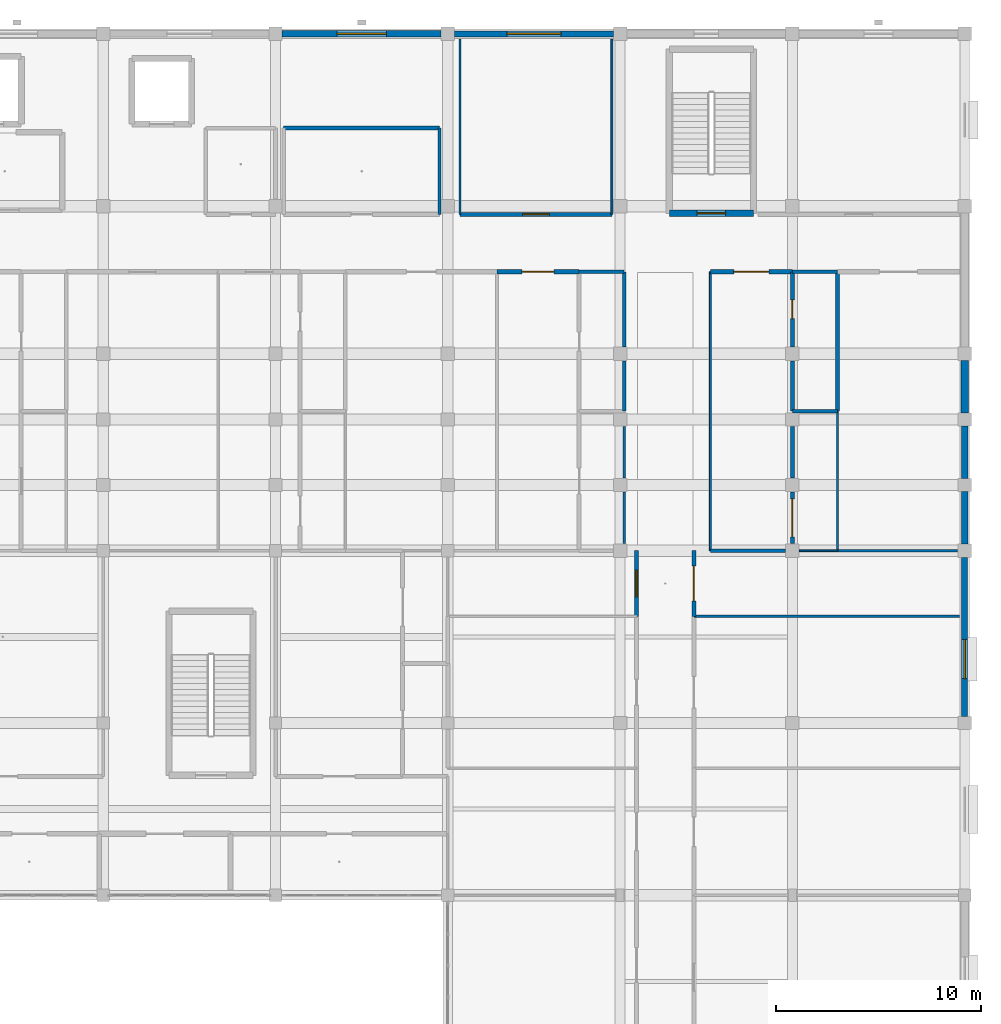
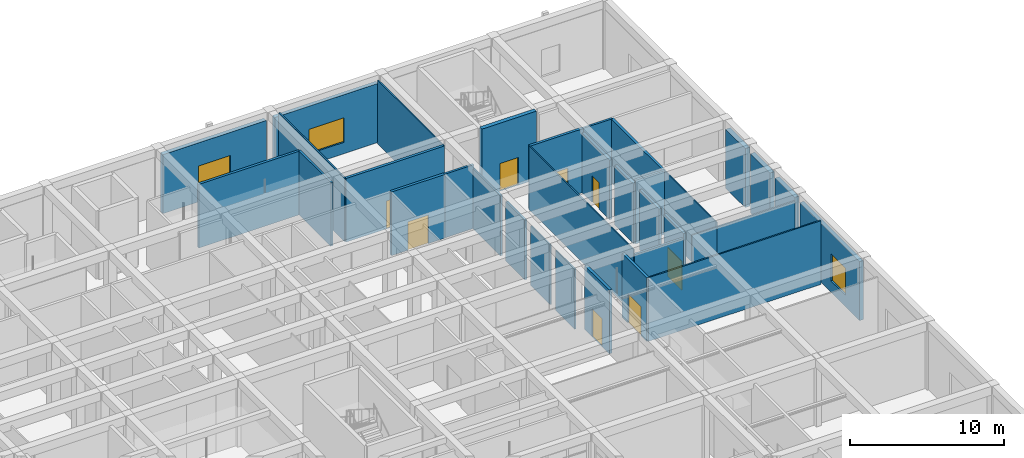
# One storey, part 95 of 157: 34 walls, 8 doors, 3 windows, 11 openings.
"""IFC4 building model written with IfcOpenShell, lengths in metres."""

from ifc_helpers import new_model, si_unit, direction, frame, frame_2d, origin, place, context, subcontext, project, spatial, rectangle, extrude, material, layer, layer_set, type_object, element, fill, save


model = new_model("IFC4")

# Units and contexts
model_context = context("Model", 3, precision=1e-05, world=origin(), true_north=direction((0.0, 1.0)))
body_context = subcontext(model_context, "Body", "Model", "MODEL_VIEW")
ifc_project = project(units=[si_unit("LENGTHUNIT", "METRE"), si_unit("AREAUNIT", "SQUARE_METRE"), si_unit("VOLUMEUNIT", "CUBIC_METRE"), si_unit("PLANEANGLEUNIT", "RADIAN"), si_unit("MASSUNIT", "GRAM", prefix="KILO")], contexts=[model_context])

# Site, building, storey
site_placement = place(None, origin())
site = spatial("IfcSite", under=ifc_project, at=site_placement, CompositionType="ELEMENT")
building_placement = place(site_placement, origin())
building = spatial("IfcBuilding", under=site, at=building_placement, Name="Varncliffe General Hospital", CompositionType="ELEMENT")
storey_placement = place(building_placement, frame((0.0, 0.0, 5.39990234375)))
storey = spatial("IfcBuildingStorey", under=building, at=storey_placement, Name="L01", CompositionType="ELEMENT", Elevation=5.39990234375)

# Wall, opening, window
ifc_material_1 = material(Name="Precast concrete C40/50 with insulated cream lime-cement stucco", Category="concrete")
ifc_layer_1 = layer(ifc_material_1, 0.31005859375)
ifc_layer_set_1 = layer_set([ifc_layer_1], Name="Precast concrete C40/50 with insulated cream lime-cement stucco")
wall_type_1 = type_object("IfcWallType", Name="Exterior Insulated Stucco Wall EW20 (310mm)", PredefinedType="SOLIDWALL", material=ifc_layer_set_1)
wall_1_placement = place(storey_placement, frame((143.123046875, 124.800048828125, 0.0), z_axis=(0.0, 0.0, 1.0), x_axis=(1.0, 0.0, 0.0)))
wall_1 = element("IfcWall", 1, at=wall_1_placement, inside=storey, type_object=wall_type_1, Name="L01 Exterior Stucco Wall EW20-132", PredefinedType="SOLIDWALL", context=body_context, shape_type="SweptSolid", body=[
    extrude(rectangle(XDim=7.75390625, YDim=0.31005859375, at=frame_2d((3.876953125, 0.0))), origin(), (0.0, 0.0, 1.0), 4.68017578125),
])
opening_1_placement = place(wall_1_placement, frame((2.677001953125, 0.0, 0.89990234375)))
opening_1 = element("IfcOpeningElement", 2, at=opening_1_placement, cuts=wall_1, Name="Opening WN16", PredefinedType="OPENING", context=body_context, shape_type="SweptSolid", body=[
    extrude(rectangle(XDim=2.39990234375, YDim=1.949951171875, at=frame_2d((1.199951171875, 0.97509765625))), frame((0.0, 0.1650390625, 0.0), z_axis=(0.0, -1.0, 0.0), x_axis=(1.0, 0.0, 0.0)), (0.0, 0.0, 1.0), 0.330078125),
])
ifc_material_2 = material(Name="Triple low-E argon insulated vision glazing", Category="glass")
window_type_1 = type_object("IfcWindowType", Name="Triple-Glazed Hospital Window WN16 (2400x1950)", PartitioningType="DOUBLE_PANEL_VERTICAL", PredefinedType="WINDOW", material=ifc_material_2)
window_1_placement = place(opening_1_placement, origin())
window_1 = element("IfcWindow", 3, at=window_1_placement, inside=storey, type_object=window_type_1, Name="L01 Hospital Window WN16-75", OverallHeight=1.949951171875, OverallWidth=2.39990234375, PartitioningType="DOUBLE_PANEL_VERTICAL", PredefinedType="WINDOW", context=body_context, shape_type="SweptSolid", body=[
    extrude(rectangle(XDim=2.39990234375, YDim=1.949951171875, at=frame_2d((1.199951171875, 0.97509765625))), frame((0.0, 0.030029296875, 0.0), z_axis=(0.0, -1.0, 0.0), x_axis=(1.0, 0.0, 0.0)), (0.0, 0.0, 1.0), 0.06005859375),
])
fill(opening_1, window_1)

# Wall
wall_2_placement = place(storey_placement, frame((176.39990234375, 102.47705078125, 0.0), z_axis=(0.0, 0.0, 1.0), x_axis=(0.0, -1.0, 0.0)))
element("IfcWall", 4, at=wall_2_placement, inside=storey, type_object=wall_type_1, Name="L01 Exterior Stucco Wall EW20-140", PredefinedType="SOLIDWALL", context=body_context, shape_type="SweptSolid", body=[
    extrude(rectangle(XDim=2.553955078125, YDim=0.31005859375, at=frame_2d((1.27685546875, 0.0))), origin(), (0.0, 0.0, 1.0), 4.68017578125),
])

# Wall, opening, window
ifc_layer_2 = layer(ifc_material_1, 0.2900390625)
ifc_layer_set_2 = layer_set([ifc_layer_2], Name="Precast concrete C40/50 with insulated cream lime-cement stucco")
wall_type_2 = type_object("IfcWallType", Name="Exterior Insulated Stucco Wall EW31 (290mm)", PredefinedType="SOLIDWALL", material=ifc_layer_set_2)
wall_3_placement = place(storey_placement, frame((151.52294921875, 124.800048828125, 0.0), z_axis=(0.0, 0.0, 1.0), x_axis=(1.0, 0.0, 0.0)))
wall_3 = element("IfcWall", 5, at=wall_3_placement, inside=storey, type_object=wall_type_2, Name="L01 Exterior Stucco Wall EW31-133", PredefinedType="SOLIDWALL", context=body_context, shape_type="SweptSolid", body=[
    extrude(rectangle(XDim=7.754150390625, YDim=0.2900390625, at=frame_2d((3.876953125, 0.0))), origin(), (0.0, 0.0, 1.0), 4.68017578125),
])
opening_2_placement = place(wall_3_placement, frame((2.552001953125, 0.0, 0.89990234375)))
opening_2 = element("IfcOpeningElement", 6, at=opening_2_placement, cuts=wall_3, Name="Opening WN30", PredefinedType="OPENING", context=body_context, shape_type="SweptSolid", body=[
    extrude(rectangle(XDim=2.64990234375, YDim=1.949951171875, at=frame_2d((1.324951171875, 0.97509765625))), frame((0.0, 0.155029296875, 0.0), z_axis=(0.0, -1.0, 0.0), x_axis=(1.0, 0.0, 0.0)), (0.0, 0.0, 1.0), 0.31005859375),
])
window_type_2 = type_object("IfcWindowType", Name="Triple-Glazed Hospital Window WN30 (2650x1950)", PartitioningType="DOUBLE_PANEL_VERTICAL", PredefinedType="WINDOW", material=ifc_material_2)
window_2_placement = place(opening_2_placement, origin())
window_2 = element("IfcWindow", 7, at=window_2_placement, inside=storey, type_object=window_type_2, Name="L01 Hospital Window WN30-76", OverallHeight=1.949951171875, OverallWidth=2.64990234375, PartitioningType="DOUBLE_PANEL_VERTICAL", PredefinedType="WINDOW", context=body_context, shape_type="SweptSolid", body=[
    extrude(rectangle(XDim=2.64990234375, YDim=1.949951171875, at=frame_2d((1.324951171875, 0.97509765625))), frame((0.0, 0.030029296875, 0.0), z_axis=(0.0, -1.0, 0.0), x_axis=(1.0, 0.0, 0.0)), (0.0, 0.0, 1.0), 0.06005859375),
])
fill(opening_2, window_2)

wall_4_placement = place(storey_placement, frame((176.39990234375, 99.277099609375, 0.0), z_axis=(0.0, 0.0, 1.0), x_axis=(0.0, -1.0, 0.0)))
wall_4 = element("IfcWall", 8, at=wall_4_placement, inside=storey, type_object=wall_type_2, Name="L01 Exterior Stucco Wall EW31-141", PredefinedType="SOLIDWALL", context=body_context, shape_type="SweptSolid", body=[
    extrude(rectangle(XDim=7.754150390625, YDim=0.2900390625, at=frame_2d((3.876953125, 0.0))), origin(), (0.0, 0.0, 1.0), 4.68017578125),
])
opening_3_placement = place(wall_4_placement, frame((4.016845703125, 0.0, 0.89990234375)))
opening_3 = element("IfcOpeningElement", 9, at=opening_3_placement, cuts=wall_4, Name="Opening WN15", PredefinedType="OPENING", context=body_context, shape_type="SweptSolid", body=[
    extrude(rectangle(XDim=1.89990234375, YDim=2.14990234375, at=frame_2d((0.949951171875, 1.074951171875))), frame((0.0, 0.155029296875, 0.0), z_axis=(0.0, -1.0, 0.0), x_axis=(1.0, 0.0, 0.0)), (0.0, 0.0, 1.0), 0.31005859375),
])
window_type_3 = type_object("IfcWindowType", Name="Triple-Glazed Hospital Window WN15 (1900x2150)", PartitioningType="DOUBLE_PANEL_VERTICAL", PredefinedType="WINDOW", material=ifc_material_2)
window_3_placement = place(opening_3_placement, origin())
window_3 = element("IfcWindow", 10, at=window_3_placement, inside=storey, type_object=window_type_3, Name="L01 Hospital Window WN15-80", OverallHeight=2.14990234375, OverallWidth=1.89990234375, PartitioningType="DOUBLE_PANEL_VERTICAL", PredefinedType="WINDOW", context=body_context, shape_type="SweptSolid", body=[
    extrude(rectangle(XDim=1.89990234375, YDim=2.14990234375, at=frame_2d((0.949951171875, 1.074951171875))), frame((0.0, 0.030029296875, 0.0), z_axis=(0.0, -1.0, 0.0), x_axis=(1.0, 0.0, 0.0)), (0.0, 0.0, 1.0), 0.06005859375),
])
fill(opening_3, window_3)

# Walls
ifc_layer_3 = layer(ifc_material_1, 0.330078125)
ifc_layer_set_3 = layer_set([ifc_layer_3], Name="Precast concrete C40/50 with insulated cream lime-cement stucco")
wall_type_3 = type_object("IfcWallType", Name="Exterior Insulated Stucco Wall EW33 (330mm)", PredefinedType="SOLIDWALL", material=ifc_layer_set_3)
wall_5_placement = place(storey_placement, frame((176.39990234375, 105.677001953125, 0.0), z_axis=(0.0, 0.0, 1.0), x_axis=(0.0, -1.0, 0.0)))
element("IfcWall", 11, at=wall_5_placement, inside=storey, type_object=wall_type_3, Name="L01 Exterior Stucco Wall EW33-139", PredefinedType="SOLIDWALL", context=body_context, shape_type="SweptSolid", body=[
    extrude(rectangle(XDim=2.553955078125, YDim=0.330078125, at=frame_2d((1.27685546875, 0.0))), origin(), (0.0, 0.0, 1.0), 4.68017578125),
])
ifc_layer_4 = layer(ifc_material_1, 0.35009765625)
ifc_layer_set_4 = layer_set([ifc_layer_4], Name="Precast concrete C40/50 with insulated cream lime-cement stucco")
wall_type_4 = type_object("IfcWallType", Name="Exterior Insulated Stucco Wall EW37 (350mm)", PredefinedType="SOLIDWALL", material=ifc_layer_set_4)
wall_6_placement = place(storey_placement, frame((176.39990234375, 108.876953125, 0.0), z_axis=(0.0, 0.0, 1.0), x_axis=(0.0, -1.0, 0.0)))
element("IfcWall", 12, at=wall_6_placement, inside=storey, type_object=wall_type_4, Name="L01 Exterior Stucco Wall EW37-138", PredefinedType="SOLIDWALL", context=body_context, shape_type="SweptSolid", body=[
    extrude(rectangle(XDim=2.553955078125, YDim=0.35009765625, at=frame_2d((1.27685546875, 0.0))), origin(), (0.0, 0.0, 1.0), 4.68017578125),
])
ifc_material_3 = material(Name="Acoustic clinical gypsum stud partition assembly", Category="gypsum")
ifc_layer_5 = layer(ifc_material_3, 0.169921875)
ifc_layer_set_5 = layer_set([ifc_layer_5], Name="Acoustic clinical gypsum stud partition assembly")
wall_type_5 = type_object("IfcWallType", Name="Interior Partitioning IW20 (170mm)", PredefinedType="PARTITIONING", material=ifc_layer_set_5)
wall_7_placement = place(storey_placement, frame((164.0, 99.60009765625, 0.0), z_axis=(0.0, 0.0, 1.0), x_axis=(1.0, 0.0, 0.0)))
element("IfcWall", 13, at=wall_7_placement, inside=storey, type_object=wall_type_5, Name="L01 Interior Partition Wall IW20-595", PredefinedType="PARTITIONING", context=body_context, shape_type="SweptSolid", body=[
    extrude(rectangle(XDim=3.659912109375, YDim=0.169921875, at=frame_2d((1.830078125, 0.0))), origin(), (0.0, 0.0, 1.0), 4.68505859375),
])
ifc_layer_6 = layer(ifc_material_3, 0.090087890625)
ifc_layer_set_6 = layer_set([ifc_layer_6], Name="Acoustic clinical gypsum stud partition assembly")
wall_type_6 = type_object("IfcWallType", Name="Interior Partitioning IW42 (90mm)", PredefinedType="PARTITIONING", material=ifc_layer_set_6)
wall_8_placement = place(storey_placement, frame((168.340087890625, 99.60009765625, 0.0), z_axis=(0.0, 0.0, 1.0), x_axis=(1.0, 0.0, 0.0)))
element("IfcWall", 14, at=wall_8_placement, inside=storey, type_object=wall_type_6, Name="L01 Interior Partition Wall IW42-596", PredefinedType="PARTITIONING", context=body_context, shape_type="SweptSolid", body=[
    extrude(rectangle(XDim=1.85986328125, YDim=0.090087890625, at=frame_2d((0.929931640625, 0.0))), origin(), (0.0, 0.0, 1.0), 4.68505859375),
])
wall_9_placement = place(storey_placement, frame((159.199951171875, 116.0, 0.0), z_axis=(0.0, 0.0, 1.0), x_axis=(0.0, 1.0, 0.0)))
element("IfcWall", 15, at=wall_9_placement, inside=storey, type_object=wall_type_6, Name="L01 Interior Partition Wall IW42-856", PredefinedType="PARTITIONING", context=body_context, shape_type="SweptSolid", body=[
    extrude(rectangle(XDim=8.5400390625, YDim=0.090087890625, at=frame_2d((4.27001953125, 0.0))), origin(), (0.0, 0.0, 1.0), 5.050048828125),
])
wall_10_placement = place(storey_placement, frame((164.0, 99.60009765625, 0.0), z_axis=(0.0, 0.0, 1.0), x_axis=(0.0, 1.0, 0.0)))
element("IfcWall", 16, at=wall_10_placement, inside=storey, type_object=wall_type_6, Name="L01 Interior Partition Wall IW42-886", PredefinedType="PARTITIONING", context=body_context, shape_type="SweptSolid", body=[
    extrude(rectangle(XDim=13.599853515625, YDim=0.090087890625, at=frame_2d((6.7998046875, 0.0))), origin(), (0.0, 0.0, 1.0), 5.050048828125),
])
wall_11_placement = place(storey_placement, frame((170.199951171875, 99.60009765625, 0.0), z_axis=(0.0, 0.0, 1.0), x_axis=(0.0, 1.0, 0.0)))
element("IfcWall", 17, at=wall_11_placement, inside=storey, type_object=wall_type_6, Name="L01 Interior Partition Wall IW42-891", PredefinedType="PARTITIONING", context=body_context, shape_type="SweptSolid", body=[
    extrude(rectangle(XDim=6.7998046875, YDim=0.090087890625, at=frame_2d((3.39990234375, 0.0))), origin(), (0.0, 0.0, 1.0), 5.050048828125),
])
ifc_layer_7 = layer(ifc_material_3, 0.110107421875)
ifc_layer_set_7 = layer_set([ifc_layer_7], Name="Acoustic clinical gypsum stud partition assembly")
wall_type_7 = type_object("IfcWallType", Name="Interior Partitioning IW65 (110mm)", PredefinedType="PARTITIONING", material=ifc_layer_set_7)
wall_12_placement = place(storey_placement, frame((163.199951171875, 96.39990234375, 0.0), z_axis=(0.0, 0.0, 1.0), x_axis=(1.0, 0.0, 0.0)))
element("IfcWall", 18, at=wall_12_placement, inside=storey, type_object=wall_type_7, Name="L01 Interior Partition Wall IW65-547", PredefinedType="PARTITIONING", context=body_context, shape_type="SweptSolid", body=[
    extrude(rectangle(XDim=12.93994140625, YDim=0.110107421875, at=frame_2d((6.469970703125, 0.0))), origin(), (0.0, 0.0, 1.0), 5.050048828125),
])
wall_13_placement = place(storey_placement, frame((170.199951171875, 99.60009765625, 0.0), z_axis=(0.0, 0.0, 1.0), x_axis=(1.0, 0.0, 0.0)))
element("IfcWall", 19, at=wall_13_placement, inside=storey, type_object=wall_type_7, Name="L01 Interior Partition Wall IW65-597", PredefinedType="PARTITIONING", context=body_context, shape_type="SweptSolid", body=[
    extrude(rectangle(XDim=5.860107421875, YDim=0.110107421875, at=frame_2d((2.93017578125, 0.0))), origin(), (0.0, 0.0, 1.0), 4.68505859375),
])
wall_14_placement = place(storey_placement, frame((151.800048828125, 116.0, 0.0), z_axis=(0.0, 0.0, 1.0), x_axis=(0.0, 1.0, 0.0)))
element("IfcWall", 20, at=wall_14_placement, inside=storey, type_object=wall_type_7, Name="L01 Interior Partition Wall IW65-852", PredefinedType="PARTITIONING", context=body_context, shape_type="SweptSolid", body=[
    extrude(rectangle(XDim=8.5400390625, YDim=0.110107421875, at=frame_2d((4.27001953125, 0.0))), origin(), (0.0, 0.0, 1.0), 5.050048828125),
])
for number, where, z_axis, x_axis, name in (
    (21, (159.800048828125, 99.93994140625, 0.0), (0.0, 0.0, 1.0), (0.0, 1.0, 0.0), "L01 Interior Partition Wall IW65-857"),
    (22, (159.800048828125, 103.139892578125, 0.0), (0.0, 0.0, 1.0), (0.0, 1.0, 0.0), "L01 Interior Partition Wall IW65-858"),
):
    element("IfcWall", number, at=place(storey_placement, frame(where, z_axis=z_axis, x_axis=x_axis)), inside=storey, type_object=wall_type_7, Name=name, PredefinedType="PARTITIONING", context=body_context, shape_type="SweptSolid", body=[
        extrude(rectangle(XDim=2.52001953125, YDim=0.110107421875, at=frame_2d((1.260009765625, 0.0))), origin(), (0.0, 0.0, 1.0), 4.735107421875),
    ])

# Wall, opening, door
ifc_material_4 = material(Name="Fire-rated gypsum and mineral-wool partition assembly", Category="gypsum")
ifc_layer_8 = layer(ifc_material_4, 0.199951171875)
ifc_layer_set_8 = layer_set([ifc_layer_8], Name="Fire-rated gypsum and mineral-wool partition assembly")
wall_type_8 = type_object("IfcWallType", Name="Interior Partitioning PW63 (200mm)", PredefinedType="PARTITIONING", material=ifc_layer_set_8)
wall_15_placement = place(storey_placement, frame((153.60009765625, 113.199951171875, 0.0), z_axis=(0.0, 0.0, 1.0), x_axis=(1.0, 0.0, 0.0)))
wall_15 = element("IfcWall", 23, at=wall_15_placement, inside=storey, type_object=wall_type_8, Name="L01 Interior Partition Wall PW63-636", PredefinedType="PARTITIONING", context=body_context, shape_type="SweptSolid", body=[
    extrude(rectangle(XDim=4.0, YDim=0.199951171875, at=frame_2d((2.0, 0.0))), origin(), (0.0, 0.0, 1.0), 5.050048828125),
])
opening_4_placement = place(wall_15_placement, frame((1.22509765625, 0.0, 0.0)))
opening_4 = element("IfcOpeningElement", 24, at=opening_4_placement, cuts=wall_15, Name="Opening DC67", PredefinedType="OPENING", context=body_context, shape_type="SweptSolid", body=[
    extrude(rectangle(XDim=1.550048828125, YDim=2.25, at=frame_2d((0.77490234375, 1.125))), frame((0.0, 0.10986328125, 0.0), z_axis=(0.0, -1.0, 0.0), x_axis=(1.0, 0.0, 0.0)), (0.0, 0.0, 1.0), 0.219970703125),
])
ifc_material_5 = material(Name="Fire-rated hospital steel-frame vision-panel door", Category="steel")
door_type_1 = type_object("IfcDoorType", Name="Interior Hospital Door DC67 (1550x2250)", OperationType="NOTDEFINED", PredefinedType="DOOR", material=ifc_material_5)
door_1_placement = place(opening_4_placement, frame((1.550048828125, 0.0, 0.0), z_axis=(0.0, 0.0, 1.0), x_axis=(-1.0, 0.0, 0.0)))
door_1 = element("IfcDoor", 25, at=door_1_placement, inside=storey, type_object=door_type_1, Name="L01 General Medical Inpatient Room 161 Door", OperationType="SINGLE_SWING_RIGHT", OverallHeight=2.25, OverallWidth=1.550048828125, PredefinedType="DOOR", context=body_context, shape_type="SweptSolid", body=[
    extrude(rectangle(XDim=1.550048828125, YDim=2.25, at=frame_2d((0.77490234375, 1.125))), frame((0.0, 0.02490234375, 0.0), z_axis=(0.0, -1.0, 0.0), x_axis=(1.0, 0.0, 0.0)), (0.0, 0.0, 1.0), 0.050048828125),
])
fill(opening_4, door_1)

wall_16_placement = place(storey_placement, frame((164.0, 113.199951171875, 0.0), z_axis=(0.0, 0.0, 1.0), x_axis=(1.0, 0.0, 0.0)))
wall_16 = element("IfcWall", 26, at=wall_16_placement, inside=storey, type_object=wall_type_8, Name="L01 Interior Partition Wall PW63-638", PredefinedType="PARTITIONING", context=body_context, shape_type="SweptSolid", body=[
    extrude(rectangle(XDim=4.0, YDim=0.199951171875, at=frame_2d((2.0, 0.0))), origin(), (0.0, 0.0, 1.0), 5.050048828125),
])
opening_5_placement = place(wall_16_placement, frame((1.14990234375, 0.0, 0.0)))
opening_5 = element("IfcOpeningElement", 27, at=opening_5_placement, cuts=wall_16, Name="Opening DC50", PredefinedType="OPENING", context=body_context, shape_type="SweptSolid", body=[
    extrude(rectangle(XDim=1.699951171875, YDim=2.300048828125, at=frame_2d((0.85009765625, 1.14990234375))), frame((0.0, 0.10986328125, 0.0), z_axis=(0.0, -1.0, 0.0), x_axis=(1.0, 0.0, 0.0)), (0.0, 0.0, 1.0), 0.219970703125),
])
door_type_2 = type_object("IfcDoorType", Name="Interior Hospital Door DC50 (1700x2300)", OperationType="NOTDEFINED", PredefinedType="DOOR", material=ifc_material_5)
door_2_placement = place(opening_5_placement, frame((1.699951171875, 0.0, 0.0), z_axis=(0.0, 0.0, 1.0), x_axis=(-1.0, 0.0, 0.0)))
door_2 = element("IfcDoor", 28, at=door_2_placement, inside=storey, type_object=door_type_2, Name="L01 General Medical Inpatient Room 164 Door", OperationType="SINGLE_SWING_LEFT", OverallHeight=2.300048828125, OverallWidth=1.699951171875, PredefinedType="DOOR", context=body_context, shape_type="SweptSolid", body=[
    extrude(rectangle(XDim=1.699951171875, YDim=2.300048828125, at=frame_2d((0.85009765625, 1.14990234375))), frame((0.0, 0.02490234375, 0.0), z_axis=(0.0, -1.0, 0.0), x_axis=(1.0, 0.0, 0.0)), (0.0, 0.0, 1.0), 0.050048828125),
])
fill(opening_5, door_2)

wall_17_placement = place(storey_placement, frame((151.800048828125, 116.0, 0.0), z_axis=(0.0, 0.0, 1.0), x_axis=(1.0, 0.0, 0.0)))
wall_17 = element("IfcWall", 29, at=wall_17_placement, inside=storey, type_object=wall_type_8, Name="L01 Interior Partition Wall PW63-652", PredefinedType="PARTITIONING", context=body_context, shape_type="SweptSolid", body=[
    extrude(rectangle(XDim=7.39990234375, YDim=0.199951171875, at=frame_2d((3.699951171875, 0.0))), origin(), (0.0, 0.0, 1.0), 5.050048828125),
])
opening_6_placement = place(wall_17_placement, frame((3.050048828125, 0.0, 0.0)))
opening_6 = element("IfcOpeningElement", 30, at=opening_6_placement, cuts=wall_17, Name="Opening DC88", PredefinedType="OPENING", context=body_context, shape_type="SweptSolid", body=[
    extrude(rectangle(XDim=1.300048828125, YDim=2.199951171875, at=frame_2d((0.64990234375, 1.10009765625))), frame((0.0, 0.10986328125, 0.0), z_axis=(0.0, -1.0, 0.0), x_axis=(1.0, 0.0, 0.0)), (0.0, 0.0, 1.0), 0.219970703125),
])
door_type_3 = type_object("IfcDoorType", Name="Interior Hospital Door DC88 (1300x2200)", OperationType="NOTDEFINED", PredefinedType="DOOR", material=ifc_material_5)
door_3_placement = place(opening_6_placement, origin())
door_3 = element("IfcDoor", 31, at=door_3_placement, inside=storey, type_object=door_type_3, Name="L01 Ward Nurse Station and Medication Room 178 Door", OperationType="SINGLE_SWING_LEFT", OverallHeight=2.199951171875, OverallWidth=1.300048828125, PredefinedType="DOOR", context=body_context, shape_type="SweptSolid", body=[
    extrude(rectangle(XDim=1.300048828125, YDim=2.199951171875, at=frame_2d((0.64990234375, 1.10009765625))), frame((0.0, 0.02490234375, 0.0), z_axis=(0.0, -1.0, 0.0), x_axis=(1.0, 0.0, 0.0)), (0.0, 0.0, 1.0), 0.050048828125),
])
fill(opening_6, door_3)

wall_18_placement = place(storey_placement, frame((160.39990234375, 96.39990234375, 0.0), z_axis=(0.0, 0.0, 1.0), x_axis=(0.0, 1.0, 0.0)))
wall_18 = element("IfcWall", 32, at=wall_18_placement, inside=storey, type_object=wall_type_8, Name="L01 Interior Partition Wall PW63-874", PredefinedType="PARTITIONING", context=body_context, shape_type="SweptSolid", body=[
    extrude(rectangle(XDim=3.2001953125, YDim=0.199951171875, at=frame_2d((1.60009765625, 0.0))), origin(), (0.0, 0.0, 1.0), 5.050048828125),
])
opening_7_placement = place(wall_18_placement, frame((0.949951171875, 0.0, 0.0)))
opening_7 = element("IfcOpeningElement", 33, at=opening_7_placement, cuts=wall_18, Name="Opening DC88", PredefinedType="OPENING", context=body_context, shape_type="SweptSolid", body=[
    extrude(rectangle(XDim=1.300048828125, YDim=2.199951171875, at=frame_2d((0.64990234375, 1.10009765625))), frame((0.0, 0.10986328125, 0.0), z_axis=(0.0, -1.0, 0.0), x_axis=(1.0, 0.0, 0.0)), (0.0, 0.0, 1.0), 0.219970703125),
])
door_4_placement = place(opening_7_placement, origin())
door_4 = element("IfcDoor", 34, at=door_4_placement, inside=storey, type_object=door_type_3, Name="L01 General Medical Inpatient Room 185 Door", OperationType="SINGLE_SWING_LEFT", OverallHeight=2.199951171875, OverallWidth=1.300048828125, PredefinedType="DOOR", context=body_context, shape_type="SweptSolid", body=[
    extrude(rectangle(XDim=1.300048828125, YDim=2.199951171875, at=frame_2d((0.64990234375, 1.10009765625))), frame((0.0, 0.02490234375, 0.0), z_axis=(0.0, -1.0, 0.0), x_axis=(1.0, 0.0, 0.0)), (0.0, 0.0, 1.0), 0.050048828125),
])
fill(opening_7, door_4)

wall_19_placement = place(storey_placement, frame((163.199951171875, 96.39990234375, 0.0), z_axis=(0.0, 0.0, 1.0), x_axis=(0.0, 1.0, 0.0)))
wall_19 = element("IfcWall", 35, at=wall_19_placement, inside=storey, type_object=wall_type_8, Name="L01 Interior Partition Wall PW63-885", PredefinedType="PARTITIONING", context=body_context, shape_type="SweptSolid", body=[
    extrude(rectangle(XDim=3.2001953125, YDim=0.199951171875, at=frame_2d((1.60009765625, 0.0))), origin(), (0.0, 0.0, 1.0), 5.050048828125),
])
opening_8_placement = place(wall_19_placement, frame((0.75, 0.0, 0.0)))
opening_8 = element("IfcOpeningElement", 36, at=opening_8_placement, cuts=wall_19, Name="Opening DC50", PredefinedType="OPENING", context=body_context, shape_type="SweptSolid", body=[
    extrude(rectangle(XDim=1.699951171875, YDim=2.300048828125, at=frame_2d((0.85009765625, 1.14990234375))), frame((0.0, 0.10986328125, 0.0), z_axis=(0.0, -1.0, 0.0), x_axis=(1.0, 0.0, 0.0)), (0.0, 0.0, 1.0), 0.219970703125),
])
door_5_placement = place(opening_8_placement, frame((1.699951171875, 0.0, 0.0), z_axis=(0.0, 0.0, 1.0), x_axis=(-1.0, 0.0, 0.0)))
door_5 = element("IfcDoor", 37, at=door_5_placement, inside=storey, type_object=door_type_2, Name="L01 General Medical Inpatient Room 188 Door", OperationType="SINGLE_SWING_RIGHT", OverallHeight=2.300048828125, OverallWidth=1.699951171875, PredefinedType="DOOR", context=body_context, shape_type="SweptSolid", body=[
    extrude(rectangle(XDim=1.699951171875, YDim=2.300048828125, at=frame_2d((0.85009765625, 1.14990234375))), frame((0.0, 0.02490234375, 0.0), z_axis=(0.0, -1.0, 0.0), x_axis=(1.0, 0.0, 0.0)), (0.0, 0.0, 1.0), 0.050048828125),
])
fill(opening_8, door_5)

wall_20_placement = place(storey_placement, frame((168.0, 99.93994140625, 0.0), z_axis=(0.0, 0.0, 1.0), x_axis=(0.0, 1.0, 0.0)))
wall_20 = element("IfcWall", 38, at=wall_20_placement, inside=storey, type_object=wall_type_8, Name="L01 Interior Partition Wall PW63-887", PredefinedType="PARTITIONING", context=body_context, shape_type="SweptSolid", body=[
    extrude(rectangle(XDim=2.52001953125, YDim=0.199951171875, at=frame_2d((1.260009765625, 0.0))), origin(), (0.0, 0.0, 1.0), 4.735107421875),
])
opening_9_placement = place(wall_20_placement, frame((0.3349609375, 0.0, 0.0)))
opening_9 = element("IfcOpeningElement", 39, at=opening_9_placement, cuts=wall_20, Name="Opening DC38", PredefinedType="OPENING", context=body_context, shape_type="SweptSolid", body=[
    extrude(rectangle(XDim=1.85009765625, YDim=2.300048828125, at=frame_2d((0.925048828125, 1.14990234375))), frame((0.0, 0.10986328125, 0.0), z_axis=(0.0, -1.0, 0.0), x_axis=(1.0, 0.0, 0.0)), (0.0, 0.0, 1.0), 0.219970703125),
])
door_type_4 = type_object("IfcDoorType", Name="Interior Hospital Door DC38 (1850x2300)", OperationType="NOTDEFINED", PredefinedType="DOOR", material=ifc_material_5)
door_6_placement = place(opening_9_placement, frame((1.85009765625, 0.0, 0.0), z_axis=(0.0, 0.0, 1.0), x_axis=(-1.0, 0.0, 0.0)))
door_6 = element("IfcDoor", 40, at=door_6_placement, inside=storey, type_object=door_type_4, Name="L01 Patient Medication and Hygiene Bay 166 Door", OperationType="SINGLE_SWING_LEFT", OverallHeight=2.300048828125, OverallWidth=1.85009765625, PredefinedType="DOOR", context=body_context, shape_type="SweptSolid", body=[
    extrude(rectangle(XDim=1.85009765625, YDim=2.300048828125, at=frame_2d((0.925048828125, 1.14990234375))), frame((0.0, 0.02490234375, 0.0), z_axis=(0.0, -1.0, 0.0), x_axis=(1.0, 0.0, 0.0)), (0.0, 0.0, 1.0), 0.050048828125),
])
fill(opening_9, door_6)

# Wall
wall_21_placement = place(storey_placement, frame((168.0, 103.139892578125, 0.0), z_axis=(0.0, 0.0, 1.0), x_axis=(0.0, 1.0, 0.0)))
element("IfcWall", 41, at=wall_21_placement, inside=storey, type_object=wall_type_8, Name="L01 Interior Partition Wall PW63-888", PredefinedType="PARTITIONING", context=body_context, shape_type="SweptSolid", body=[
    extrude(rectangle(XDim=2.52001953125, YDim=0.199951171875, at=frame_2d((1.260009765625, 0.0))), origin(), (0.0, 0.0, 1.0), 4.735107421875),
])

# Wall, opening, door
wall_22_placement = place(storey_placement, frame((168.0, 109.5400390625, 0.0), z_axis=(0.0, 0.0, 1.0), x_axis=(0.0, 1.0, 0.0)))
wall_22 = element("IfcWall", 42, at=wall_22_placement, inside=storey, type_object=wall_type_8, Name="L01 Interior Partition Wall PW63-889", PredefinedType="PARTITIONING", context=body_context, shape_type="SweptSolid", body=[
    extrude(rectangle(XDim=3.659912109375, YDim=0.199951171875, at=frame_2d((1.830078125, 0.0))), origin(), (0.0, 0.0, 1.0), 4.735107421875),
])
opening_10_placement = place(wall_22_placement, frame((1.3701171875, 0.0, 0.0)))
opening_10 = element("IfcOpeningElement", 43, at=opening_10_placement, cuts=wall_22, Name="Opening DI70", PredefinedType="OPENING", context=body_context, shape_type="SweptSolid", body=[
    extrude(rectangle(XDim=0.919921875, YDim=2.10009765625, at=frame_2d((0.4599609375, 1.050048828125))), frame((0.0, 0.10986328125, 0.0), z_axis=(0.0, -1.0, 0.0), x_axis=(1.0, 0.0, 0.0)), (0.0, 0.0, 1.0), 0.219970703125),
])
ifc_material_6 = material(Name="Solid-core antimicrobial hospital oak veneer door", Category="wood")
door_type_5 = type_object("IfcDoorType", Name="Interior Hospital Door DI70 (920x2100)", OperationType="NOTDEFINED", PredefinedType="DOOR", material=ifc_material_6)
door_7_placement = place(opening_10_placement, frame((0.919921875, 0.0, 0.0), z_axis=(0.0, 0.0, 1.0), x_axis=(-1.0, 0.0, 0.0)))
door_7 = element("IfcDoor", 44, at=door_7_placement, inside=storey, type_object=door_type_5, Name="L01 En-Suite Bathroom 165 Door", OperationType="SINGLE_SWING_RIGHT", OverallHeight=2.10009765625, OverallWidth=0.919921875, PredefinedType="DOOR", context=body_context, shape_type="SweptSolid", body=[
    extrude(rectangle(XDim=0.919921875, YDim=2.10009765625, at=frame_2d((0.4599609375, 1.050048828125))), frame((0.0, 0.02490234375, 0.0), z_axis=(0.0, -1.0, 0.0), x_axis=(1.0, 0.0, 0.0)), (0.0, 0.0, 1.0), 0.050048828125),
])
fill(opening_10, door_7)

# Walls
wall_23_placement = place(storey_placement, frame((168.0, 106.39990234375, 0.0), z_axis=(0.0, 0.0, 1.0), x_axis=(0.0, 1.0, 0.0)))
element("IfcWall", 45, at=wall_23_placement, inside=storey, type_object=wall_type_8, Name="L01 Interior Partition Wall PW63-890", PredefinedType="PARTITIONING", context=body_context, shape_type="SweptSolid", body=[
    extrude(rectangle(XDim=2.460205078125, YDim=0.199951171875, at=frame_2d((1.22998046875, 0.0))), origin(), (0.0, 0.0, 1.0), 4.735107421875),
])
ifc_material_7 = material(Name="Moisture-resistant plumbing chase wall assembly", Category="gypsum")
ifc_layer_9 = layer(ifc_material_7, 0.18994140625)
ifc_layer_set_9 = layer_set([ifc_layer_9], Name="Moisture-resistant plumbing chase wall assembly")
wall_type_9 = type_object("IfcWallType", Name="Interior Plumbingwall MW17 (190mm)", PredefinedType="PLUMBINGWALL", material=ifc_layer_set_9)
wall_24_placement = place(storey_placement, frame((143.199951171875, 120.199951171875, 0.0), z_axis=(0.0, 0.0, 1.0), x_axis=(1.0, 0.0, 0.0)))
element("IfcWall", 46, at=wall_24_placement, inside=storey, type_object=wall_type_9, Name="L01 Interior Plumbing Wall MW17-666", PredefinedType="PLUMBINGWALL", context=body_context, shape_type="SweptSolid", body=[
    extrude(rectangle(XDim=7.60009765625, YDim=0.18994140625, at=frame_2d((3.800048828125, 0.0))), origin(), (0.0, 0.0, 1.0), 5.050048828125),
])
wall_25_placement = place(storey_placement, frame((170.199951171875, 106.39990234375, 0.0), z_axis=(0.0, 0.0, 1.0), x_axis=(0.0, 1.0, 0.0)))
element("IfcWall", 47, at=wall_25_placement, inside=storey, type_object=wall_type_9, Name="L01 Interior Plumbing Wall MW17-892", PredefinedType="PLUMBINGWALL", context=body_context, shape_type="SweptSolid", body=[
    extrude(rectangle(XDim=6.800048828125, YDim=0.18994140625, at=frame_2d((3.39990234375, 0.0))), origin(), (0.0, 0.0, 1.0), 5.050048828125),
])
ifc_layer_10 = layer(ifc_material_7, 0.159912109375)
ifc_layer_set_10 = layer_set([ifc_layer_10], Name="Moisture-resistant plumbing chase wall assembly")
wall_type_10 = type_object("IfcWallType", Name="Interior Plumbingwall MW31 (160mm)", PredefinedType="PLUMBINGWALL", material=ifc_layer_set_10)
for number, where, z_axis, x_axis, name in (
    (48, (168.0, 106.39990234375, 0.0), (0.0, 0.0, 1.0), (1.0, 0.0, 0.0), "L01 Interior Plumbing Wall MW31-613"),
    (49, (157.60009765625, 113.199951171875, 0.0), (0.0, 0.0, 1.0), (1.0, 0.0, 0.0), "L01 Interior Plumbing Wall MW31-637"),
    (50, (168.0, 113.199951171875, 0.0), (0.0, 0.0, 1.0), (1.0, 0.0, 0.0), "L01 Interior Plumbing Wall MW31-639"),
):
    element("IfcWall", number, at=place(storey_placement, frame(where, z_axis=z_axis, x_axis=x_axis)), inside=storey, type_object=wall_type_10, Name=name, PredefinedType="PLUMBINGWALL", context=body_context, shape_type="SweptSolid", body=[
        extrude(rectangle(XDim=2.199951171875, YDim=0.159912109375, at=frame_2d((1.10009765625, 0.0))), origin(), (0.0, 0.0, 1.0), 5.050048828125),
    ])
wall_26_placement = place(storey_placement, frame((150.800048828125, 116.0, 0.0), z_axis=(0.0, 0.0, 1.0), x_axis=(0.0, 1.0, 0.0)))
element("IfcWall", 51, at=wall_26_placement, inside=storey, type_object=wall_type_10, Name="L01 Interior Plumbing Wall MW31-841", PredefinedType="PLUMBINGWALL", context=body_context, shape_type="SweptSolid", body=[
    extrude(rectangle(XDim=4.199951171875, YDim=0.159912109375, at=frame_2d((2.10009765625, 0.0))), origin(), (0.0, 0.0, 1.0), 5.050048828125),
])
wall_27_placement = place(storey_placement, frame((159.800048828125, 109.5400390625, 0.0), z_axis=(0.0, 0.0, 1.0), x_axis=(0.0, 1.0, 0.0)))
element("IfcWall", 52, at=wall_27_placement, inside=storey, type_object=wall_type_10, Name="L01 Interior Plumbing Wall MW31-859", PredefinedType="PLUMBINGWALL", context=body_context, shape_type="SweptSolid", body=[
    extrude(rectangle(XDim=3.659912109375, YDim=0.159912109375, at=frame_2d((1.830078125, 0.0))), origin(), (0.0, 0.0, 1.0), 4.735107421875),
])
wall_28_placement = place(storey_placement, frame((159.800048828125, 106.39990234375, 0.0), z_axis=(0.0, 0.0, 1.0), x_axis=(0.0, 1.0, 0.0)))
element("IfcWall", 53, at=wall_28_placement, inside=storey, type_object=wall_type_10, Name="L01 Interior Plumbing Wall MW31-860", PredefinedType="PLUMBINGWALL", context=body_context, shape_type="SweptSolid", body=[
    extrude(rectangle(XDim=2.460205078125, YDim=0.159912109375, at=frame_2d((1.22998046875, 0.0))), origin(), (0.0, 0.0, 1.0), 4.735107421875),
])

# Wall, opening, door
ifc_material_8 = material(Name="Concrete C40/50 (CSA A23.1 40 MPa)", Category="concrete")
ifc_layer_11 = layer(ifc_material_8, 0.300048828125)
ifc_layer_set_11 = layer_set([ifc_layer_11], Name="Concrete C40/50 (CSA A23.1 40 MPa)")
wall_type_11 = type_object("IfcWallType", Name="Reinforced Concrete Core Shear Wall CW12 (300mm)", PredefinedType="SHEAR", material=ifc_layer_set_11)
wall_29_placement = place(storey_placement, frame((162.0, 116.050048828125, 0.0), z_axis=(0.0, 0.0, 1.0), x_axis=(1.0, 0.0, 0.0)))
wall_29 = element("IfcWall", 54, at=wall_29_placement, inside=storey, type_object=wall_type_11, Name="L01 ST04 Core Shear Wall N", PredefinedType="SHEAR", context=body_context, shape_type="SweptSolid", body=[
    extrude(rectangle(XDim=4.10009765625, YDim=0.300048828125, at=frame_2d((2.050048828125, 0.0))), origin(), (0.0, 0.0, 1.0), 5.400146484375),
])
opening_11_placement = place(wall_29_placement, frame((1.35009765625, 0.0, 0.0)))
opening_11 = element("IfcOpeningElement", 55, at=opening_11_placement, cuts=wall_29, Name="Opening DF81", PredefinedType="OPENING", context=body_context, shape_type="SweptSolid", body=[
    extrude(rectangle(XDim=1.39990234375, YDim=2.199951171875, at=frame_2d((0.699951171875, 1.10009765625))), frame((0.0, 0.16015625, 0.0), z_axis=(0.0, -1.0, 0.0), x_axis=(1.0, 0.0, 0.0)), (0.0, 0.0, 1.0), 0.320068359375),
])
door_type_6 = type_object("IfcDoorType", Name="Interior Hospital Door DF81 (1400x2200)", OperationType="NOTDEFINED", PredefinedType="DOOR", material=ifc_material_5)
door_8_placement = place(opening_11_placement, frame((1.39990234375, 0.0, 0.0), z_axis=(0.0, 0.0, 1.0), x_axis=(-1.0, 0.0, 0.0)))
door_8 = element("IfcDoor", 56, at=door_8_placement, inside=storey, type_object=door_type_6, Name="L01 ST04 Protected Exit Stair Door", OperationType="SINGLE_SWING_RIGHT", OverallHeight=2.199951171875, OverallWidth=1.39990234375, PredefinedType="DOOR", context=body_context, shape_type="SweptSolid", body=[
    extrude(rectangle(XDim=1.39990234375, YDim=2.199951171875, at=frame_2d((0.699951171875, 1.10009765625))), frame((0.0, 0.02490234375, 0.0), z_axis=(0.0, -1.0, 0.0), x_axis=(1.0, 0.0, 0.0)), (0.0, 0.0, 1.0), 0.050048828125),
])
fill(opening_11, door_8)

save(model, "model.ifc")
